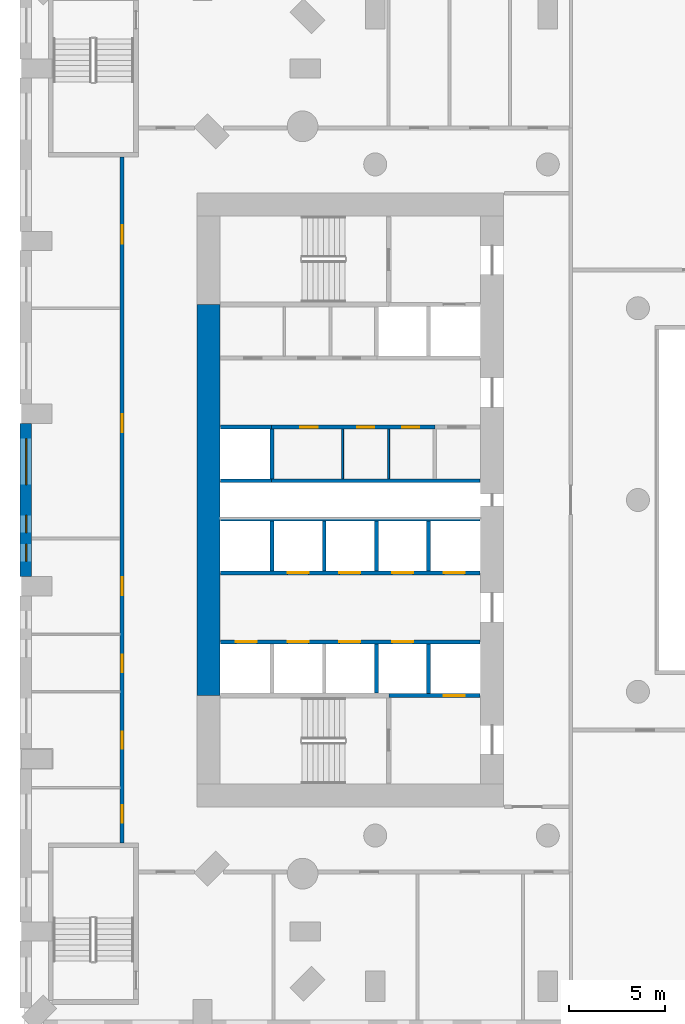
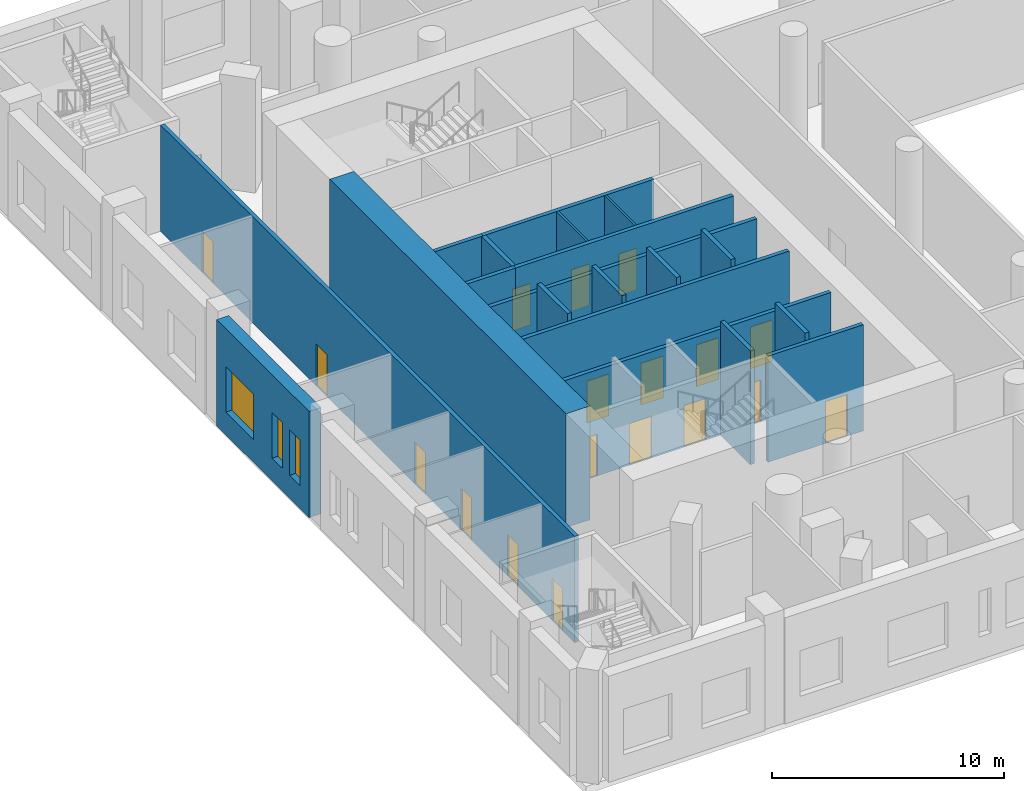
# One storey, part 3 of 19: 20 walls, 18 doors, 3 windows, 21 openings.
"""IFC4 building model written with IfcOpenShell, lengths in metres."""

from ifc_helpers import new_model, si_unit, direction, frame, frame_2d, origin, place, context, subcontext, project, spatial, rectangle, extrude, material, layer, layer_set, type_object, element, fill, save


model = new_model("IFC4")

# Units and contexts
model_context = context("Model", 3, precision=1e-05, world=origin(), true_north=direction((0.0, 1.0)))
body_context = subcontext(model_context, "Body", "Model", "MODEL_VIEW")
ifc_project = project(units=[si_unit("LENGTHUNIT", "METRE"), si_unit("AREAUNIT", "SQUARE_METRE"), si_unit("VOLUMEUNIT", "CUBIC_METRE"), si_unit("PLANEANGLEUNIT", "RADIAN"), si_unit("MASSUNIT", "GRAM", prefix="KILO")], contexts=[model_context])

# Site, building, storey
site_placement = place(None, origin())
site = spatial("IfcSite", under=ifc_project, at=site_placement, CompositionType="ELEMENT")
building_placement = place(site_placement, origin())
building = spatial("IfcBuilding", under=site, at=building_placement, Name="Cypress Arch Tower", CompositionType="ELEMENT")
storey_placement = place(building_placement, frame((0.0, 0.0, 44.0)))
storey = spatial("IfcBuildingStorey", under=building, at=storey_placement, Name="L05", CompositionType="ELEMENT", Elevation=44.0)

# Wall, openings, windows
ifc_material_1 = material(Name="Brick (red buff blend) on blockwork backing", Category="masonry")
ifc_layer_1 = layer(ifc_material_1, 0.60009765625)
ifc_layer_set_1 = layer_set([ifc_layer_1], Name="Brick base wall BW600")
wall_type_1 = type_object("IfcWallType", Name="Brick base wall BW600", PredefinedType="ELEMENTEDWALL", material=ifc_layer_set_1)
wall_1_placement = place(storey_placement, frame((-38.925048828125, 4.0, 0.0), z_axis=(0.0, 0.0, 1.0), x_axis=(0.0, -1.0, 0.0)))
wall_1 = element("IfcWall", 1, at=wall_1_placement, inside=storey, type_object=wall_type_1, Name="Brick wall L05 P04.3", PredefinedType="ELEMENTEDWALL", context=body_context, shape_type="SweptSolid", body=[
    extrude(rectangle(XDim=8.0, YDim=0.60009765625, at=frame_2d((4.0, 0.0))), origin(), (0.0, 0.0, 1.0), 5.595947265625),
])
opening_1_placement = place(wall_1_placement, frame((0.800048828125, 0.0, 1.199951171875)))
opening_1 = element("IfcOpeningElement", 2, at=opening_1_placement, cuts=wall_1, Name="Opening W240P", PredefinedType="OPENING", context=body_context, shape_type="SweptSolid", body=[
    extrude(rectangle(XDim=2.39990234375, YDim=2.39990234375, at=frame_2d((1.199951171875, 1.199951171875))), frame((0.0, 0.31005859375, 0.0), z_axis=(0.0, -1.0, 0.0), x_axis=(1.0, 0.0, 0.0)), (0.0, 0.0, 1.0), 0.6201171875),
])
opening_2_placement = place(wall_1_placement, frame((4.800048828125, 0.0, 1.199951171875)))
opening_2 = element("IfcOpeningElement", 3, at=opening_2_placement, cuts=wall_1, Name="Opening W090P", PredefinedType="OPENING", context=body_context, shape_type="SweptSolid", body=[
    extrude(rectangle(XDim=0.89990234375, YDim=2.39990234375, at=frame_2d((0.449951171875, 1.199951171875))), frame((0.0, 0.31005859375, 0.0), z_axis=(0.0, -1.0, 0.0), x_axis=(1.0, 0.0, 0.0)), (0.0, 0.0, 1.0), 0.6201171875),
])
opening_3_placement = place(wall_1_placement, frame((6.300048828125, 0.0, 1.199951171875)))
opening_3 = element("IfcOpeningElement", 4, at=opening_3_placement, cuts=wall_1, Name="Opening W090P", PredefinedType="OPENING", context=body_context, shape_type="SweptSolid", body=[
    extrude(rectangle(XDim=0.89990234375, YDim=2.39990234375, at=frame_2d((0.449951171875, 1.199951171875))), frame((0.0, 0.31005859375, 0.0), z_axis=(0.0, -1.0, 0.0), x_axis=(1.0, 0.0, 0.0)), (0.0, 0.0, 1.0), 0.6201171875),
])
ifc_material_2 = material(Name="Anodised aluminium, bronze finish, clear low-emissivity double glazing", Category="aluminium")
window_type_1 = type_object("IfcWindowType", Name="Window Podium 2400x2400", PartitioningType="SINGLE_PANEL", PredefinedType="WINDOW", material=ifc_material_2)
window_1_placement = place(opening_1_placement, origin())
window_1 = element("IfcWindow", 5, at=window_1_placement, inside=storey, type_object=window_type_1, Name="Window L05 P04.3.1", OverallHeight=2.39990234375, OverallWidth=2.39990234375, PartitioningType="SINGLE_PANEL", PredefinedType="WINDOW", context=body_context, shape_type="SweptSolid", body=[
    extrude(rectangle(XDim=2.39990234375, YDim=2.39990234375, at=frame_2d((1.199951171875, 1.199951171875))), frame((0.0, 0.06005859375, 0.0), z_axis=(0.0, -1.0, 0.0), x_axis=(1.0, 0.0, 0.0)), (0.0, 0.0, 1.0), 0.06005859375),
])
fill(opening_1, window_1)
ifc_material_3 = material(Name="Anodised aluminium, bronze finish, clear low-emissivity double glazing", Category="aluminium")
window_type_2 = type_object("IfcWindowType", Name="Window Podium 900x2400", PartitioningType="SINGLE_PANEL", PredefinedType="WINDOW", material=ifc_material_3)
window_2_placement = place(opening_2_placement, origin())
window_2 = element("IfcWindow", 6, at=window_2_placement, inside=storey, type_object=window_type_2, Name="Window L05 P04.3.2", OverallHeight=2.39990234375, OverallWidth=0.89990234375, PartitioningType="SINGLE_PANEL", PredefinedType="WINDOW", context=body_context, shape_type="SweptSolid", body=[
    extrude(rectangle(XDim=0.89990234375, YDim=2.39990234375, at=frame_2d((0.449951171875, 1.199951171875))), frame((0.0, 0.06005859375, 0.0), z_axis=(0.0, -1.0, 0.0), x_axis=(1.0, 0.0, 0.0)), (0.0, 0.0, 1.0), 0.06005859375),
])
fill(opening_2, window_2)
window_3_placement = place(opening_3_placement, origin())
window_3 = element("IfcWindow", 7, at=window_3_placement, inside=storey, type_object=window_type_2, Name="Window L05 P04.3.2b", OverallHeight=2.39990234375, OverallWidth=0.89990234375, PartitioningType="SINGLE_PANEL", PredefinedType="WINDOW", context=body_context, shape_type="SweptSolid", body=[
    extrude(rectangle(XDim=0.89990234375, YDim=2.39990234375, at=frame_2d((0.449951171875, 1.199951171875))), frame((0.0, 0.06005859375, 0.0), z_axis=(0.0, -1.0, 0.0), x_axis=(1.0, 0.0, 0.0)), (0.0, 0.0, 1.0), 0.06005859375),
])
fill(opening_3, window_3)

# Wall
ifc_material_4 = material(Name="Concrete C80/95", Category="concrete")
ifc_layer_2 = layer(ifc_material_4, 1.199951171875)
ifc_layer_set_2 = layer_set([ifc_layer_2], Name="Core wall CW1200 C80/95")
wall_type_2 = type_object("IfcWallType", Name="Core wall CW1200 C80/95", PredefinedType="SHEAR", material=ifc_layer_set_2)
wall_2_placement = place(storey_placement, frame((-29.39990234375, -10.199951171875, 0.0), z_axis=(0.0, 0.0, 1.0), x_axis=(0.0, 1.0, 0.0)))
element("IfcWall", 8, at=wall_2_placement, inside=storey, type_object=wall_type_2, Name="Core wall", PredefinedType="SHEAR", context=body_context, shape_type="SweptSolid", body=[
    extrude(rectangle(XDim=20.39990234375, YDim=1.199951171875, at=frame_2d((10.199951171875, 0.0))), origin(), (0.0, 0.0, 1.0), 6.0),
])

# Wall, openings, doors
ifc_material_5 = material(Name="Concrete blockwork, plastered, rated", Category="masonry")
ifc_layer_3 = layer(ifc_material_5, 0.199951171875)
ifc_layer_set_3 = layer_set([ifc_layer_3], Name="Corridor wall FW200")
wall_type_3 = type_object("IfcWallType", Name="Corridor wall FW200", PredefinedType="PARTITIONING", material=ifc_layer_set_3)
wall_3_placement = place(storey_placement, frame((-33.89990234375, -17.8798828125, 0.0), z_axis=(0.0, 0.0, 1.0), x_axis=(0.0, 1.0, 0.0)))
wall_3 = element("IfcWall", 9, at=wall_3_placement, inside=storey, type_object=wall_type_3, Name="Corridor wall", PredefinedType="PARTITIONING", context=body_context, shape_type="SweptSolid", body=[
    extrude(rectangle(XDim=35.759765625, YDim=0.199951171875, at=frame_2d((17.8798828125, 0.0))), origin(), (0.0, 0.0, 1.0), 5.595947265625),
])
opening_4_placement = place(wall_3_placement, frame((1.050048828125, 0.0, 0.0)))
opening_4 = element("IfcOpeningElement", 10, at=opening_4_placement, cuts=wall_3, Name="Opening D03", PredefinedType="OPENING", context=body_context, shape_type="SweptSolid", body=[
    extrude(rectangle(XDim=0.89990234375, YDim=2.199951171875, at=frame_2d((0.449951171875, 1.10009765625))), frame((0.0, 0.10986328125, 0.0), z_axis=(0.0, -1.0, 0.0), x_axis=(1.0, 0.0, 0.0)), (0.0, 0.0, 1.0), 0.219970703125),
])
opening_5_placement = place(wall_3_placement, frame((4.89990234375, 0.0, 0.0)))
opening_5 = element("IfcOpeningElement", 11, at=opening_5_placement, cuts=wall_3, Name="Opening D03", PredefinedType="OPENING", context=body_context, shape_type="SweptSolid", body=[
    extrude(rectangle(XDim=0.89990234375, YDim=2.199951171875, at=frame_2d((0.449951171875, 1.10009765625))), frame((0.0, 0.10986328125, 0.0), z_axis=(0.0, -1.0, 0.0), x_axis=(1.0, 0.0, 0.0)), (0.0, 0.0, 1.0), 0.219970703125),
])
opening_6_placement = place(wall_3_placement, frame((8.89990234375, 0.0, 0.0)))
opening_6 = element("IfcOpeningElement", 12, at=opening_6_placement, cuts=wall_3, Name="Opening D03", PredefinedType="OPENING", context=body_context, shape_type="SweptSolid", body=[
    extrude(rectangle(XDim=0.89990234375, YDim=2.199951171875, at=frame_2d((0.449951171875, 1.10009765625))), frame((0.0, 0.10986328125, 0.0), z_axis=(0.0, -1.0, 0.0), x_axis=(1.0, 0.0, 0.0)), (0.0, 0.0, 1.0), 0.219970703125),
])
opening_7_placement = place(wall_3_placement, frame((12.89990234375, 0.0, 0.0)))
opening_7 = element("IfcOpeningElement", 13, at=opening_7_placement, cuts=wall_3, Name="Opening D02", PredefinedType="OPENING", context=body_context, shape_type="SweptSolid", body=[
    extrude(rectangle(XDim=0.949951171875, YDim=2.199951171875, at=frame_2d((0.47509765625, 1.10009765625))), frame((0.0, 0.10986328125, 0.0), z_axis=(0.0, -1.0, 0.0), x_axis=(1.0, 0.0, 0.0)), (0.0, 0.0, 1.0), 0.219970703125),
])
opening_8_placement = place(wall_3_placement, frame((21.39990234375, 0.0, 0.0)))
opening_8 = element("IfcOpeningElement", 14, at=opening_8_placement, cuts=wall_3, Name="Opening D02", PredefinedType="OPENING", context=body_context, shape_type="SweptSolid", body=[
    extrude(rectangle(XDim=0.949951171875, YDim=2.199951171875, at=frame_2d((0.47509765625, 1.10009765625))), frame((0.0, 0.10986328125, 0.0), z_axis=(0.0, -1.0, 0.0), x_axis=(1.0, 0.0, 0.0)), (0.0, 0.0, 1.0), 0.219970703125),
])
opening_9_placement = place(wall_3_placement, frame((31.25, 0.0, 0.0)))
opening_9 = element("IfcOpeningElement", 15, at=opening_9_placement, cuts=wall_3, Name="Opening D02", PredefinedType="OPENING", context=body_context, shape_type="SweptSolid", body=[
    extrude(rectangle(XDim=0.949951171875, YDim=2.199951171875, at=frame_2d((0.47509765625, 1.10009765625))), frame((0.0, 0.10986328125, 0.0), z_axis=(0.0, -1.0, 0.0), x_axis=(1.0, 0.0, 0.0)), (0.0, 0.0, 1.0), 0.219970703125),
])
ifc_material_6 = material(Name="Timber flush door, moisture resistant", Category="wood")
door_type_1 = type_object("IfcDoorType", Name="Bathroom door D03 900x2200", OperationType="SINGLE_SWING_LEFT", PredefinedType="DOOR", material=ifc_material_6)
door_1_placement = place(opening_4_placement, origin())
door_1 = element("IfcDoor", 16, at=door_1_placement, inside=storey, type_object=door_type_1, Name="Bathroom door", OperationType="SINGLE_SWING_RIGHT", OverallHeight=2.199951171875, OverallWidth=0.89990234375, PredefinedType="DOOR", context=body_context, shape_type="SweptSolid", body=[
    extrude(rectangle(XDim=0.89990234375, YDim=2.199951171875, at=frame_2d((0.449951171875, 1.10009765625))), frame((0.0, 0.02490234375, 0.0), z_axis=(0.0, -1.0, 0.0), x_axis=(1.0, 0.0, 0.0)), (0.0, 0.0, 1.0), 0.050048828125),
])
fill(opening_4, door_1)
door_2_placement = place(opening_5_placement, origin())
door_2 = element("IfcDoor", 17, at=door_2_placement, inside=storey, type_object=door_type_1, Name="Bathroom door", OperationType="SINGLE_SWING_LEFT", OverallHeight=2.199951171875, OverallWidth=0.89990234375, PredefinedType="DOOR", context=body_context, shape_type="SweptSolid", body=[
    extrude(rectangle(XDim=0.89990234375, YDim=2.199951171875, at=frame_2d((0.449951171875, 1.10009765625))), frame((0.0, 0.02490234375, 0.0), z_axis=(0.0, -1.0, 0.0), x_axis=(1.0, 0.0, 0.0)), (0.0, 0.0, 1.0), 0.050048828125),
])
fill(opening_5, door_2)
door_3_placement = place(opening_6_placement, origin())
door_3 = element("IfcDoor", 18, at=door_3_placement, inside=storey, type_object=door_type_1, Name="Bathroom door", OperationType="SINGLE_SWING_LEFT", OverallHeight=2.199951171875, OverallWidth=0.89990234375, PredefinedType="DOOR", context=body_context, shape_type="SweptSolid", body=[
    extrude(rectangle(XDim=0.89990234375, YDim=2.199951171875, at=frame_2d((0.449951171875, 1.10009765625))), frame((0.0, 0.02490234375, 0.0), z_axis=(0.0, -1.0, 0.0), x_axis=(1.0, 0.0, 0.0)), (0.0, 0.0, 1.0), 0.050048828125),
])
fill(opening_6, door_3)
ifc_material_7 = material(Name="Timber flush door, fire resisting", Category="wood")
door_type_2 = type_object("IfcDoorType", Name="Room door D02 950x2200", OperationType="SINGLE_SWING_LEFT", PredefinedType="DOOR", material=ifc_material_7)
door_4_placement = place(opening_7_placement, origin())
door_4 = element("IfcDoor", 19, at=door_4_placement, inside=storey, type_object=door_type_2, Name="Room door", OperationType="SINGLE_SWING_RIGHT", OverallHeight=2.199951171875, OverallWidth=0.949951171875, PredefinedType="DOOR", context=body_context, shape_type="SweptSolid", body=[
    extrude(rectangle(XDim=0.949951171875, YDim=2.199951171875, at=frame_2d((0.47509765625, 1.10009765625))), frame((0.0, 0.02490234375, 0.0), z_axis=(0.0, -1.0, 0.0), x_axis=(1.0, 0.0, 0.0)), (0.0, 0.0, 1.0), 0.050048828125),
])
fill(opening_7, door_4)
door_5_placement = place(opening_8_placement, origin())
door_5 = element("IfcDoor", 20, at=door_5_placement, inside=storey, type_object=door_type_2, Name="Room door", OperationType="SINGLE_SWING_RIGHT", OverallHeight=2.199951171875, OverallWidth=0.949951171875, PredefinedType="DOOR", context=body_context, shape_type="SweptSolid", body=[
    extrude(rectangle(XDim=0.949951171875, YDim=2.199951171875, at=frame_2d((0.47509765625, 1.10009765625))), frame((0.0, 0.02490234375, 0.0), z_axis=(0.0, -1.0, 0.0), x_axis=(1.0, 0.0, 0.0)), (0.0, 0.0, 1.0), 0.050048828125),
])
fill(opening_8, door_5)
door_6_placement = place(opening_9_placement, origin())
door_6 = element("IfcDoor", 21, at=door_6_placement, inside=storey, type_object=door_type_2, Name="Room door", OperationType="SINGLE_SWING_RIGHT", OverallHeight=2.199951171875, OverallWidth=0.949951171875, PredefinedType="DOOR", context=body_context, shape_type="SweptSolid", body=[
    extrude(rectangle(XDim=0.949951171875, YDim=2.199951171875, at=frame_2d((0.47509765625, 1.10009765625))), frame((0.0, 0.02490234375, 0.0), z_axis=(0.0, -1.0, 0.0), x_axis=(1.0, 0.0, 0.0)), (0.0, 0.0, 1.0), 0.050048828125),
])
fill(opening_9, door_6)

wall_4_placement = place(storey_placement, frame((-26.10009765625, 3.800048828125, 0.0), z_axis=(0.0, 0.0, 1.0), x_axis=(1.0, 0.0, 0.0)))
wall_4 = element("IfcWall", 22, at=wall_4_placement, inside=storey, type_object=wall_type_3, Name="Corridor wall", PredefinedType="PARTITIONING", context=body_context, shape_type="SweptSolid", body=[
    extrude(rectangle(XDim=8.52001953125, YDim=0.199951171875, at=frame_2d((4.260009765625, 0.0))), origin(), (0.0, 0.0, 1.0), 5.595947265625),
])
opening_10_placement = place(wall_4_placement, frame((1.5, 0.0, 0.0)))
opening_10 = element("IfcOpeningElement", 23, at=opening_10_placement, cuts=wall_4, Name="Opening D05", PredefinedType="OPENING", context=body_context, shape_type="SweptSolid", body=[
    extrude(rectangle(XDim=0.89990234375, YDim=2.199951171875, at=frame_2d((0.449951171875, 1.10009765625))), frame((0.0, 0.10986328125, 0.0), z_axis=(0.0, -1.0, 0.0), x_axis=(1.0, 0.0, 0.0)), (0.0, 0.0, 1.0), 0.219970703125),
])
opening_11_placement = place(wall_4_placement, frame((4.449951171875, 0.0, 0.0)))
opening_11 = element("IfcOpeningElement", 24, at=opening_11_placement, cuts=wall_4, Name="Opening D05", PredefinedType="OPENING", context=body_context, shape_type="SweptSolid", body=[
    extrude(rectangle(XDim=0.89990234375, YDim=2.199951171875, at=frame_2d((0.449951171875, 1.10009765625))), frame((0.0, 0.10986328125, 0.0), z_axis=(0.0, -1.0, 0.0), x_axis=(1.0, 0.0, 0.0)), (0.0, 0.0, 1.0), 0.219970703125),
])
opening_12_placement = place(wall_4_placement, frame((6.800048828125, 0.0, 0.0)))
opening_12 = element("IfcOpeningElement", 25, at=opening_12_placement, cuts=wall_4, Name="Opening D05", PredefinedType="OPENING", context=body_context, shape_type="SweptSolid", body=[
    extrude(rectangle(XDim=0.89990234375, YDim=2.199951171875, at=frame_2d((0.449951171875, 1.10009765625))), frame((0.0, 0.10986328125, 0.0), z_axis=(0.0, -1.0, 0.0), x_axis=(1.0, 0.0, 0.0)), (0.0, 0.0, 1.0), 0.219970703125),
])
ifc_material_8 = material(Name="Timber flush door", Category="wood")
door_type_3 = type_object("IfcDoorType", Name="Service door D05 900x2200", OperationType="SINGLE_SWING_LEFT", PredefinedType="DOOR", material=ifc_material_8)
door_7_placement = place(opening_10_placement, origin())
door_7 = element("IfcDoor", 26, at=door_7_placement, inside=storey, type_object=door_type_3, Name="Service door", OperationType="SINGLE_SWING_LEFT", OverallHeight=2.199951171875, OverallWidth=0.89990234375, PredefinedType="DOOR", context=body_context, shape_type="SweptSolid", body=[
    extrude(rectangle(XDim=0.89990234375, YDim=2.199951171875, at=frame_2d((0.449951171875, 1.10009765625))), frame((0.0, 0.02490234375, 0.0), z_axis=(0.0, -1.0, 0.0), x_axis=(1.0, 0.0, 0.0)), (0.0, 0.0, 1.0), 0.050048828125),
])
fill(opening_10, door_7)
door_8_placement = place(opening_11_placement, origin())
door_8 = element("IfcDoor", 27, at=door_8_placement, inside=storey, type_object=door_type_3, Name="Service door", OperationType="SINGLE_SWING_LEFT", OverallHeight=2.199951171875, OverallWidth=0.89990234375, PredefinedType="DOOR", context=body_context, shape_type="SweptSolid", body=[
    extrude(rectangle(XDim=0.89990234375, YDim=2.199951171875, at=frame_2d((0.449951171875, 1.10009765625))), frame((0.0, 0.02490234375, 0.0), z_axis=(0.0, -1.0, 0.0), x_axis=(1.0, 0.0, 0.0)), (0.0, 0.0, 1.0), 0.050048828125),
])
fill(opening_11, door_8)
door_9_placement = place(opening_12_placement, origin())
door_9 = element("IfcDoor", 28, at=door_9_placement, inside=storey, type_object=door_type_3, Name="Service door", OperationType="SINGLE_SWING_RIGHT", OverallHeight=2.199951171875, OverallWidth=0.89990234375, PredefinedType="DOOR", context=body_context, shape_type="SweptSolid", body=[
    extrude(rectangle(XDim=0.89990234375, YDim=2.199951171875, at=frame_2d((0.449951171875, 1.10009765625))), frame((0.0, 0.02490234375, 0.0), z_axis=(0.0, -1.0, 0.0), x_axis=(1.0, 0.0, 0.0)), (0.0, 0.0, 1.0), 0.050048828125),
])
fill(opening_12, door_9)

# Wall
ifc_material_9 = material(Name="Reinforced blockwork, plastered, rated", Category="masonry")
ifc_layer_4 = layer(ifc_material_9, 0.199951171875)
ifc_layer_set_4 = layer_set([ifc_layer_4], Name="Plant and riser wall PL200")
wall_type_4 = type_object("IfcWallType", Name="Plant and riser wall PL200", PredefinedType="PARTITIONING", material=ifc_layer_set_4)
wall_5_placement = place(storey_placement, frame((-26.10009765625, 1.0, 0.0), z_axis=(0.0, 0.0, 1.0), x_axis=(1.0, 0.0, 0.0)))
element("IfcWall", 29, at=wall_5_placement, inside=storey, type_object=wall_type_4, Name="Plant and riser wall", PredefinedType="PARTITIONING", context=body_context, shape_type="SweptSolid", body=[
    extrude(rectangle(XDim=10.8701171875, YDim=0.199951171875, at=frame_2d((5.43505859375, 0.0))), origin(), (0.0, 0.0, 1.0), 5.595947265625),
])

# Wall, openings, doors
ifc_material_10 = material(Name="Concrete C50/60", Category="concrete")
ifc_layer_5 = layer(ifc_material_10, 0.199951171875)
ifc_layer_set_5 = layer_set([ifc_layer_5], Name="Shaft wall SH200")
wall_type_5 = type_object("IfcWallType", Name="Shaft wall SH200", PredefinedType="SHEAR", material=ifc_layer_set_5)
wall_6_placement = place(storey_placement, frame((-28.77001953125, -7.39990234375, 0.0), z_axis=(0.0, 0.0, 1.0), x_axis=(1.0, 0.0, 0.0)))
wall_6 = element("IfcWall", 30, at=wall_6_placement, inside=storey, type_object=wall_type_5, Name="Shaft wall", PredefinedType="SHEAR", context=body_context, shape_type="SweptSolid", body=[
    extrude(rectangle(XDim=13.5400390625, YDim=0.199951171875, at=frame_2d((6.77001953125, 0.0))), origin(), (0.0, 0.0, 1.0), 5.595947265625),
])
opening_13_placement = place(wall_6_placement, frame((0.800048828125, 0.0, 0.0)))
opening_13 = element("IfcOpeningElement", 31, at=opening_13_placement, cuts=wall_6, Name="Opening LD-LR1", PredefinedType="OPENING", context=body_context, shape_type="SweptSolid", body=[
    extrude(rectangle(XDim=1.10009765625, YDim=2.199951171875, at=frame_2d((0.550048828125, 1.10009765625))), frame((0.0, 0.10986328125, 0.0), z_axis=(0.0, -1.0, 0.0), x_axis=(1.0, 0.0, 0.0)), (0.0, 0.0, 1.0), 0.219970703125),
])
opening_14_placement = place(wall_6_placement, frame((3.5, 0.0, 0.0)))
opening_14 = element("IfcOpeningElement", 32, at=opening_14_placement, cuts=wall_6, Name="Opening LD-LR2", PredefinedType="OPENING", context=body_context, shape_type="SweptSolid", body=[
    extrude(rectangle(XDim=1.10009765625, YDim=2.199951171875, at=frame_2d((0.550048828125, 1.10009765625))), frame((0.0, 0.10986328125, 0.0), z_axis=(0.0, -1.0, 0.0), x_axis=(1.0, 0.0, 0.0)), (0.0, 0.0, 1.0), 0.219970703125),
])
opening_15_placement = place(wall_6_placement, frame((6.199951171875, 0.0, 0.0)))
opening_15 = element("IfcOpeningElement", 33, at=opening_15_placement, cuts=wall_6, Name="Opening LD-LR3", PredefinedType="OPENING", context=body_context, shape_type="SweptSolid", body=[
    extrude(rectangle(XDim=1.10009765625, YDim=2.199951171875, at=frame_2d((0.550048828125, 1.10009765625))), frame((0.0, 0.10986328125, 0.0), z_axis=(0.0, -1.0, 0.0), x_axis=(1.0, 0.0, 0.0)), (0.0, 0.0, 1.0), 0.219970703125),
])
opening_16_placement = place(wall_6_placement, frame((8.949951171875, 0.0, 0.0)))
opening_16 = element("IfcOpeningElement", 34, at=opening_16_placement, cuts=wall_6, Name="Opening LD-LR4", PredefinedType="OPENING", context=body_context, shape_type="SweptSolid", body=[
    extrude(rectangle(XDim=1.10009765625, YDim=2.199951171875, at=frame_2d((0.550048828125, 1.10009765625))), frame((0.0, 0.10986328125, 0.0), z_axis=(0.0, -1.0, 0.0), x_axis=(1.0, 0.0, 0.0)), (0.0, 0.0, 1.0), 0.219970703125),
])
ifc_material_11 = material(Name="Stainless steel centre-opening landing door, rated", Category="steel")
door_type_4 = type_object("IfcDoorType", Name="Lift landing door LD 1100x2200", OperationType="DOUBLE_DOOR_SLIDING", PredefinedType="DOOR", material=ifc_material_11)
door_10_placement = place(opening_13_placement, origin())
door_10 = element("IfcDoor", 35, at=door_10_placement, inside=storey, type_object=door_type_4, Name="Lift landing doors LR1", OperationType="DOUBLE_DOOR_SLIDING", OverallHeight=2.199951171875, OverallWidth=1.10009765625, PredefinedType="DOOR", context=body_context, shape_type="SweptSolid", body=[
    extrude(rectangle(XDim=1.10009765625, YDim=2.199951171875, at=frame_2d((0.550048828125, 1.10009765625))), frame((0.0, 0.02490234375, 0.0), z_axis=(0.0, -1.0, 0.0), x_axis=(1.0, 0.0, 0.0)), (0.0, 0.0, 1.0), 0.050048828125),
])
fill(opening_13, door_10)
door_11_placement = place(opening_14_placement, origin())
door_11 = element("IfcDoor", 36, at=door_11_placement, inside=storey, type_object=door_type_4, Name="Lift landing doors LR2", OperationType="DOUBLE_DOOR_SLIDING", OverallHeight=2.199951171875, OverallWidth=1.10009765625, PredefinedType="DOOR", context=body_context, shape_type="SweptSolid", body=[
    extrude(rectangle(XDim=1.10009765625, YDim=2.199951171875, at=frame_2d((0.550048828125, 1.10009765625))), frame((0.0, 0.02490234375, 0.0), z_axis=(0.0, -1.0, 0.0), x_axis=(1.0, 0.0, 0.0)), (0.0, 0.0, 1.0), 0.050048828125),
])
fill(opening_14, door_11)
door_12_placement = place(opening_15_placement, origin())
door_12 = element("IfcDoor", 37, at=door_12_placement, inside=storey, type_object=door_type_4, Name="Lift landing doors LR3", OperationType="DOUBLE_DOOR_SLIDING", OverallHeight=2.199951171875, OverallWidth=1.10009765625, PredefinedType="DOOR", context=body_context, shape_type="SweptSolid", body=[
    extrude(rectangle(XDim=1.10009765625, YDim=2.199951171875, at=frame_2d((0.550048828125, 1.10009765625))), frame((0.0, 0.02490234375, 0.0), z_axis=(0.0, -1.0, 0.0), x_axis=(1.0, 0.0, 0.0)), (0.0, 0.0, 1.0), 0.050048828125),
])
fill(opening_15, door_12)
door_13_placement = place(opening_16_placement, origin())
door_13 = element("IfcDoor", 38, at=door_13_placement, inside=storey, type_object=door_type_4, Name="Lift landing doors LR4", OperationType="DOUBLE_DOOR_SLIDING", OverallHeight=2.199951171875, OverallWidth=1.10009765625, PredefinedType="DOOR", context=body_context, shape_type="SweptSolid", body=[
    extrude(rectangle(XDim=1.10009765625, YDim=2.199951171875, at=frame_2d((0.550048828125, 1.10009765625))), frame((0.0, 0.02490234375, 0.0), z_axis=(0.0, -1.0, 0.0), x_axis=(1.0, 0.0, 0.0)), (0.0, 0.0, 1.0), 0.050048828125),
])
fill(opening_16, door_13)

wall_7_placement = place(storey_placement, frame((-28.77001953125, -3.800048828125, 0.0), z_axis=(0.0, 0.0, 1.0), x_axis=(1.0, 0.0, 0.0)))
wall_7 = element("IfcWall", 39, at=wall_7_placement, inside=storey, type_object=wall_type_5, Name="Shaft wall", PredefinedType="SHEAR", context=body_context, shape_type="SweptSolid", body=[
    extrude(rectangle(XDim=13.5400390625, YDim=0.199951171875, at=frame_2d((6.77001953125, 0.0))), origin(), (0.0, 0.0, 1.0), 5.595947265625),
])
opening_17_placement = place(wall_7_placement, frame((3.5, 0.0, 0.0)))
opening_17 = element("IfcOpeningElement", 40, at=opening_17_placement, cuts=wall_7, Name="Opening LD-LR5", PredefinedType="OPENING", context=body_context, shape_type="SweptSolid", body=[
    extrude(rectangle(XDim=1.10009765625, YDim=2.199951171875, at=frame_2d((0.550048828125, 1.10009765625))), frame((0.0, 0.10986328125, 0.0), z_axis=(0.0, -1.0, 0.0), x_axis=(1.0, 0.0, 0.0)), (0.0, 0.0, 1.0), 0.219970703125),
])
opening_18_placement = place(wall_7_placement, frame((6.199951171875, 0.0, 0.0)))
opening_18 = element("IfcOpeningElement", 41, at=opening_18_placement, cuts=wall_7, Name="Opening LD-LR6", PredefinedType="OPENING", context=body_context, shape_type="SweptSolid", body=[
    extrude(rectangle(XDim=1.10009765625, YDim=2.199951171875, at=frame_2d((0.550048828125, 1.10009765625))), frame((0.0, 0.10986328125, 0.0), z_axis=(0.0, -1.0, 0.0), x_axis=(1.0, 0.0, 0.0)), (0.0, 0.0, 1.0), 0.219970703125),
])
opening_19_placement = place(wall_7_placement, frame((8.949951171875, 0.0, 0.0)))
opening_19 = element("IfcOpeningElement", 42, at=opening_19_placement, cuts=wall_7, Name="Opening LD-LR7", PredefinedType="OPENING", context=body_context, shape_type="SweptSolid", body=[
    extrude(rectangle(XDim=1.10009765625, YDim=2.199951171875, at=frame_2d((0.550048828125, 1.10009765625))), frame((0.0, 0.10986328125, 0.0), z_axis=(0.0, -1.0, 0.0), x_axis=(1.0, 0.0, 0.0)), (0.0, 0.0, 1.0), 0.219970703125),
])
opening_20_placement = place(wall_7_placement, frame((11.64990234375, 0.0, 0.0)))
opening_20 = element("IfcOpeningElement", 43, at=opening_20_placement, cuts=wall_7, Name="Opening LD-LR8", PredefinedType="OPENING", context=body_context, shape_type="SweptSolid", body=[
    extrude(rectangle(XDim=1.10009765625, YDim=2.199951171875, at=frame_2d((0.550048828125, 1.10009765625))), frame((0.0, 0.10986328125, 0.0), z_axis=(0.0, -1.0, 0.0), x_axis=(1.0, 0.0, 0.0)), (0.0, 0.0, 1.0), 0.219970703125),
])
door_14_placement = place(opening_17_placement, origin())
door_14 = element("IfcDoor", 44, at=door_14_placement, inside=storey, type_object=door_type_4, Name="Lift landing doors LR5", OperationType="DOUBLE_DOOR_SLIDING", OverallHeight=2.199951171875, OverallWidth=1.10009765625, PredefinedType="DOOR", context=body_context, shape_type="SweptSolid", body=[
    extrude(rectangle(XDim=1.10009765625, YDim=2.199951171875, at=frame_2d((0.550048828125, 1.10009765625))), frame((0.0, 0.02490234375, 0.0), z_axis=(0.0, -1.0, 0.0), x_axis=(1.0, 0.0, 0.0)), (0.0, 0.0, 1.0), 0.050048828125),
])
fill(opening_17, door_14)
door_15_placement = place(opening_18_placement, origin())
door_15 = element("IfcDoor", 45, at=door_15_placement, inside=storey, type_object=door_type_4, Name="Lift landing doors LR6", OperationType="DOUBLE_DOOR_SLIDING", OverallHeight=2.199951171875, OverallWidth=1.10009765625, PredefinedType="DOOR", context=body_context, shape_type="SweptSolid", body=[
    extrude(rectangle(XDim=1.10009765625, YDim=2.199951171875, at=frame_2d((0.550048828125, 1.10009765625))), frame((0.0, 0.02490234375, 0.0), z_axis=(0.0, -1.0, 0.0), x_axis=(1.0, 0.0, 0.0)), (0.0, 0.0, 1.0), 0.050048828125),
])
fill(opening_18, door_15)
door_16_placement = place(opening_19_placement, origin())
door_16 = element("IfcDoor", 46, at=door_16_placement, inside=storey, type_object=door_type_4, Name="Lift landing doors LR7", OperationType="DOUBLE_DOOR_SLIDING", OverallHeight=2.199951171875, OverallWidth=1.10009765625, PredefinedType="DOOR", context=body_context, shape_type="SweptSolid", body=[
    extrude(rectangle(XDim=1.10009765625, YDim=2.199951171875, at=frame_2d((0.550048828125, 1.10009765625))), frame((0.0, 0.02490234375, 0.0), z_axis=(0.0, -1.0, 0.0), x_axis=(1.0, 0.0, 0.0)), (0.0, 0.0, 1.0), 0.050048828125),
])
fill(opening_19, door_16)
door_17_placement = place(opening_20_placement, origin())
door_17 = element("IfcDoor", 47, at=door_17_placement, inside=storey, type_object=door_type_4, Name="Lift landing doors LR8", OperationType="DOUBLE_DOOR_SLIDING", OverallHeight=2.199951171875, OverallWidth=1.10009765625, PredefinedType="DOOR", context=body_context, shape_type="SweptSolid", body=[
    extrude(rectangle(XDim=1.10009765625, YDim=2.199951171875, at=frame_2d((0.550048828125, 1.10009765625))), frame((0.0, 0.02490234375, 0.0), z_axis=(0.0, -1.0, 0.0), x_axis=(1.0, 0.0, 0.0)), (0.0, 0.0, 1.0), 0.050048828125),
])
fill(opening_20, door_17)

# Walls
wall_8_placement = place(storey_placement, frame((-28.77001953125, -1.0, 0.0), z_axis=(0.0, 0.0, 1.0), x_axis=(1.0, 0.0, 0.0)))
element("IfcWall", 48, at=wall_8_placement, inside=storey, type_object=wall_type_5, Name="Shaft wall", PredefinedType="SHEAR", context=body_context, shape_type="SweptSolid", body=[
    extrude(rectangle(XDim=13.5400390625, YDim=0.199951171875, at=frame_2d((6.77001953125, 0.0))), origin(), (0.0, 0.0, 1.0), 5.595947265625),
])
for number, where, z_axis, x_axis, name in (
    (49, (-28.77001953125, 1.0, 0.0), (0.0, 0.0, 1.0), (1.0, 0.0, 0.0), "Shaft wall"),
    (50, (-28.77001953125, 3.800048828125, 0.0), (0.0, 0.0, 1.0), (1.0, 0.0, 0.0), "Shaft wall"),
):
    element("IfcWall", number, at=place(storey_placement, frame(where, z_axis=z_axis, x_axis=x_axis)), inside=storey, type_object=wall_type_5, Name=name, PredefinedType="SHEAR", context=body_context, shape_type="SweptSolid", body=[
        extrude(rectangle(XDim=2.669921875, YDim=0.199951171875, at=frame_2d((1.3349609375, 0.0))), origin(), (0.0, 0.0, 1.0), 5.595947265625),
    ])
wall_9_placement = place(storey_placement, frame((-26.080078125, -3.699951171875, 0.0), z_axis=(0.0, 0.0, 1.0), x_axis=(0.0, 1.0, 0.0)))
element("IfcWall", 51, at=wall_9_placement, inside=storey, type_object=wall_type_5, Name="Shaft wall", PredefinedType="SHEAR", context=body_context, shape_type="SweptSolid", body=[
    extrude(rectangle(XDim=2.599853515625, YDim=0.199951171875, at=frame_2d((1.2998046875, 0.0))), origin(), (0.0, 0.0, 1.0), 6.0),
])
wall_10_placement = place(storey_placement, frame((-26.080078125, 1.10009765625, 0.0), z_axis=(0.0, 0.0, 1.0), x_axis=(0.0, 1.0, 0.0)))
element("IfcWall", 52, at=wall_10_placement, inside=storey, type_object=wall_type_5, Name="Shaft wall", PredefinedType="SHEAR", context=body_context, shape_type="SweptSolid", body=[
    extrude(rectangle(XDim=2.599853515625, YDim=0.199951171875, at=frame_2d((1.2998046875, 0.0))), origin(), (0.0, 0.0, 1.0), 5.595947265625),
])
wall_11_placement = place(storey_placement, frame((-23.360107421875, -3.699951171875, 0.0), z_axis=(0.0, 0.0, 1.0), x_axis=(0.0, 1.0, 0.0)))
element("IfcWall", 53, at=wall_11_placement, inside=storey, type_object=wall_type_5, Name="Shaft wall", PredefinedType="SHEAR", context=body_context, shape_type="SweptSolid", body=[
    extrude(rectangle(XDim=2.599853515625, YDim=0.199951171875, at=frame_2d((1.2998046875, 0.0))), origin(), (0.0, 0.0, 1.0), 6.0),
])
wall_12_placement = place(storey_placement, frame((-20.639892578125, -10.074951171875, 0.0), z_axis=(0.0, 0.0, 1.0), x_axis=(0.0, 1.0, 0.0)))
element("IfcWall", 54, at=wall_12_placement, inside=storey, type_object=wall_type_5, Name="Shaft wall", PredefinedType="SHEAR", context=body_context, shape_type="SweptSolid", body=[
    extrude(rectangle(XDim=2.574951171875, YDim=0.199951171875, at=frame_2d((1.28759765625, 0.0))), origin(), (0.0, 0.0, 1.0), 6.0),
])
wall_13_placement = place(storey_placement, frame((-20.639892578125, -3.699951171875, 0.0), z_axis=(0.0, 0.0, 1.0), x_axis=(0.0, 1.0, 0.0)))
element("IfcWall", 55, at=wall_13_placement, inside=storey, type_object=wall_type_5, Name="Shaft wall", PredefinedType="SHEAR", context=body_context, shape_type="SweptSolid", body=[
    extrude(rectangle(XDim=2.599853515625, YDim=0.199951171875, at=frame_2d((1.2998046875, 0.0))), origin(), (0.0, 0.0, 1.0), 6.0),
])

# Wall, opening, door
wall_14_placement = place(storey_placement, frame((-19.97998046875, -10.199951171875, 0.0), z_axis=(0.0, 0.0, 1.0), x_axis=(1.0, 0.0, 0.0)))
wall_14 = element("IfcWall", 56, at=wall_14_placement, inside=storey, type_object=wall_type_5, Name="Shaft wall", PredefinedType="SHEAR", context=body_context, shape_type="SweptSolid", body=[
    extrude(rectangle(XDim=4.75, YDim=0.199951171875, at=frame_2d((2.375, 0.0))), origin(), (0.0, 0.0, 1.0), 5.595947265625),
])
opening_21_placement = place(wall_14_placement, frame((2.85009765625, 0.0, 0.0)))
opening_21 = element("IfcOpeningElement", 57, at=opening_21_placement, cuts=wall_14, Name="Opening LD-FL1", PredefinedType="OPENING", context=body_context, shape_type="SweptSolid", body=[
    extrude(rectangle(XDim=1.10009765625, YDim=2.199951171875, at=frame_2d((0.550048828125, 1.10009765625))), frame((0.0, 0.10986328125, 0.0), z_axis=(0.0, -1.0, 0.0), x_axis=(1.0, 0.0, 0.0)), (0.0, 0.0, 1.0), 0.219970703125),
])
door_18_placement = place(opening_21_placement, origin())
door_18 = element("IfcDoor", 58, at=door_18_placement, inside=storey, type_object=door_type_4, Name="Lift landing doors FL1", OperationType="DOUBLE_DOOR_SLIDING", OverallHeight=2.199951171875, OverallWidth=1.10009765625, PredefinedType="DOOR", context=body_context, shape_type="SweptSolid", body=[
    extrude(rectangle(XDim=1.10009765625, YDim=2.199951171875, at=frame_2d((0.550048828125, 1.10009765625))), frame((0.0, 0.02490234375, 0.0), z_axis=(0.0, -1.0, 0.0), x_axis=(1.0, 0.0, 0.0)), (0.0, 0.0, 1.0), 0.050048828125),
])
fill(opening_21, door_18)

# Walls
wall_15_placement = place(storey_placement, frame((-17.919921875, -10.10009765625, 0.0), z_axis=(0.0, 0.0, 1.0), x_axis=(0.0, 1.0, 0.0)))
element("IfcWall", 59, at=wall_15_placement, inside=storey, type_object=wall_type_5, Name="Shaft wall", PredefinedType="SHEAR", context=body_context, shape_type="SweptSolid", body=[
    extrude(rectangle(XDim=2.60009765625, YDim=0.199951171875, at=frame_2d((1.300048828125, 0.0))), origin(), (0.0, 0.0, 1.0), 6.0),
])
wall_16_placement = place(storey_placement, frame((-17.919921875, -3.699951171875, 0.0), z_axis=(0.0, 0.0, 1.0), x_axis=(0.0, 1.0, 0.0)))
element("IfcWall", 60, at=wall_16_placement, inside=storey, type_object=wall_type_5, Name="Shaft wall", PredefinedType="SHEAR", context=body_context, shape_type="SweptSolid", body=[
    extrude(rectangle(XDim=2.599853515625, YDim=0.199951171875, at=frame_2d((1.2998046875, 0.0))), origin(), (0.0, 0.0, 1.0), 6.0),
])
ifc_material_12 = material(Name="Moisture resistant board on steel studs, tiled", Category="steel")
ifc_layer_6 = layer(ifc_material_12, 0.10009765625)
ifc_layer_set_6 = layer_set([ifc_layer_6], Name="Wet wall PW100")
wall_type_6 = type_object("IfcWallType", Name="Wet wall PW100", PredefinedType="PARTITIONING", material=ifc_layer_set_6)
for number, where, z_axis, x_axis, name in (
    (61, (-22.39990234375, 1.10009765625, 0.0), (0.0, 0.0, 1.0), (0.0, 1.0, 0.0), "Wet wall"),
    (62, (-20.0, 1.10009765625, 0.0), (0.0, 0.0, 1.0), (0.0, 1.0, 0.0), "Wet wall"),
):
    element("IfcWall", number, at=place(storey_placement, frame(where, z_axis=z_axis, x_axis=x_axis)), inside=storey, type_object=wall_type_6, Name=name, PredefinedType="PARTITIONING", context=body_context, shape_type="SweptSolid", body=[
        extrude(rectangle(XDim=2.599853515625, YDim=0.10009765625, at=frame_2d((1.2998046875, 0.0))), origin(), (0.0, 0.0, 1.0), 5.595947265625),
    ])

save(model, "model.ifc")
